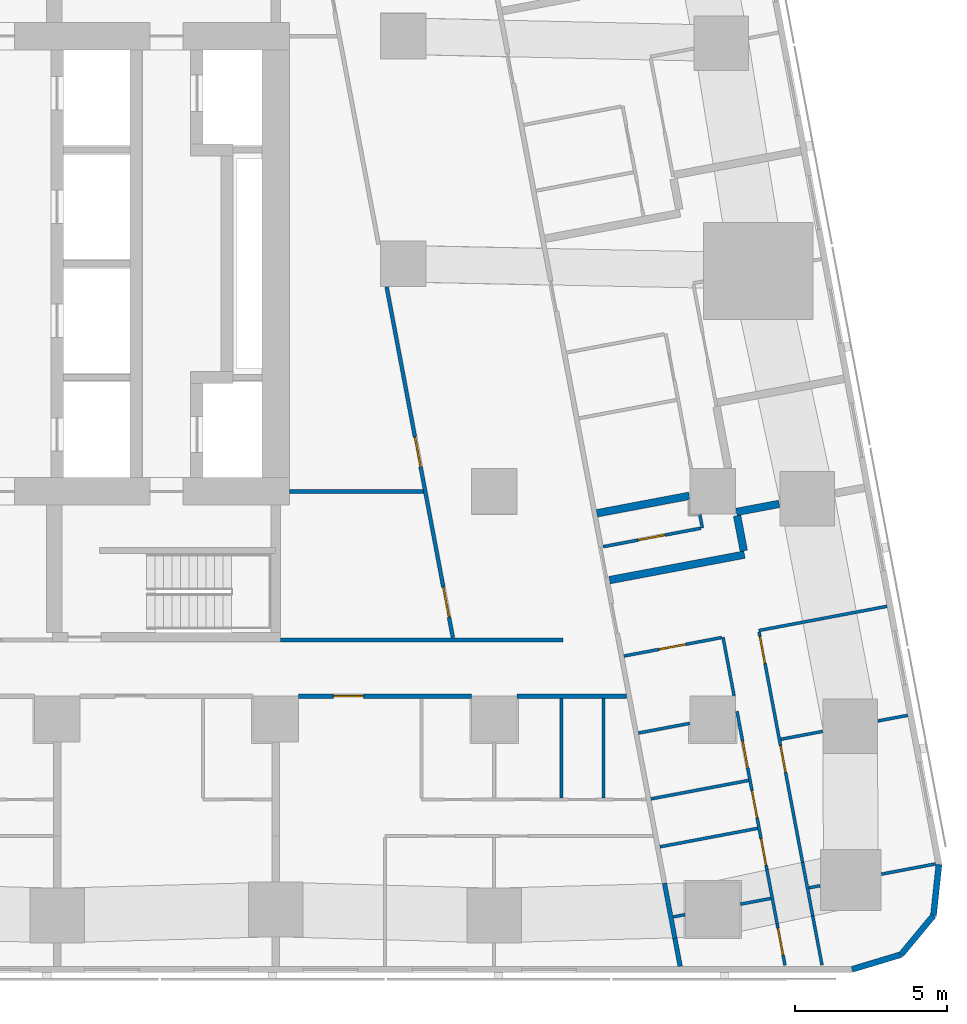
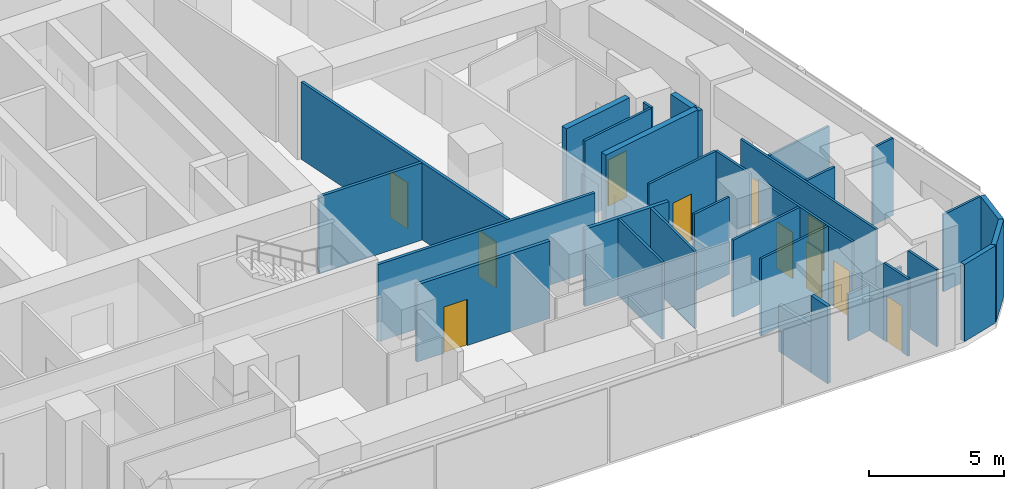
# One storey, part 6 of 15: 36 walls, 11 doors, 11 openings.
"""IFC4 building model written with IfcOpenShell, lengths in metres."""

import ifcopenshell
import ifcopenshell.guid

model = None  # the IFC model being written
_history = None  # IfcOwnerHistory: only IFC2X3 demands one
_inside = {}  # id of a spatial element -> (the spatial element, [elements in it])
_under = {}  # id of a project, library or spatial element -> (it, [spatial elements below it])
_declared = {}  # id of a project -> (the project, [libraries it declares])
_typed = {}  # id of a type object -> (the type object, [elements of that type])
_made_of = {}  # id of a material, layer set ... -> (it, [elements and type objects made of it])


def new_model(schema):
    """Start an empty IFC model of exactly this schema.

    Asked for "IFC4X3", IfcOpenShell would pick the latest addendum, in which some entities
    have other attributes; the version numbers below select the first issue.
    IFC2X3 requires an IfcOwnerHistory on every rooted entity: one is made here for all.
    """
    global model, _history
    if schema == "IFC4X3":
        model = ifcopenshell.file(schema_version=(4, 3, 0, 0))
    else:
        model = ifcopenshell.file(schema=schema)
    _inside.clear()
    _under.clear()
    _declared.clear()
    _typed.clear()
    _made_of.clear()
    _history = None
    if model.schema == "IFC2X3":
        org = make("IfcOrganization", Name="unknown")
        user = make(
            "IfcPersonAndOrganization",
            ThePerson=make("IfcPerson", FamilyName="unknown"),
            TheOrganization=org,
        )
        app = make(
            "IfcApplication",
            ApplicationDeveloper=org,
            Version="unknown",
            ApplicationFullName="unknown",
            ApplicationIdentifier="unknown",
        )
        _history = make(
            "IfcOwnerHistory",
            OwningUser=user,
            OwningApplication=app,
            ChangeAction="ADDED",
            CreationDate=0,
        )
    return model


def make(cls, **values):
    """One entity of the class cls with the attributes given. An attribute that is None is left unset."""
    return model.create_entity(
        cls, **{name: value for name, value in values.items() if value is not None}
    )


def rooted(cls, **values):
    """An entity with a GlobalId (a new one), such as an element, a storey or a relation."""
    return make(cls, GlobalId=ifcopenshell.guid.new(), OwnerHistory=_history, **values)


def si_unit(unit_type, name, prefix=None):
    """IfcSIUnit, for example si_unit("LENGTHUNIT", "METRE", prefix="MILLI")."""
    return make("IfcSIUnit", UnitType=unit_type, Prefix=prefix, Name=name)


def assignment(units):
    """IfcUnitAssignment: the units of a project."""
    return None if units is None else make("IfcUnitAssignment", Units=units)


def point(xyz):
    """IfcCartesianPoint."""
    return None if xyz is None else make("IfcCartesianPoint", Coordinates=xyz)


def direction(xyz):
    """IfcDirection."""
    return None if xyz is None else make("IfcDirection", DirectionRatios=xyz)


def frame(location, z_axis=None, x_axis=None):
    """IfcAxis2Placement3D, a coordinate frame: its origin and axes. An axis left out is left unset."""
    return make(
        "IfcAxis2Placement3D",
        Location=point(location),
        Axis=direction(z_axis),
        RefDirection=direction(x_axis),
    )


def frame_2d(location, x_axis=None):
    """IfcAxis2Placement2D, a coordinate frame in the plane: its origin and x axis."""
    return make(
        "IfcAxis2Placement2D", Location=point(location), RefDirection=direction(x_axis)
    )


def origin():
    """The frame at (0, 0, 0) with its axes left unset."""
    return frame((0.0, 0.0, 0.0))


def place(relative_to, where):
    """IfcLocalPlacement: puts the frame where relative to a parent placement (None: the world)."""
    return make(
        "IfcLocalPlacement", PlacementRelTo=relative_to, RelativePlacement=where
    )


def context(
    kind, dimensions, precision=None, world=None, true_north=None, identifier=None
):
    """IfcGeometricRepresentationContext, for example the 3D "Model" context."""
    return make(
        "IfcGeometricRepresentationContext",
        ContextIdentifier=identifier,
        ContextType=kind,
        CoordinateSpaceDimension=dimensions,
        Precision=precision,
        WorldCoordinateSystem=world,
        TrueNorth=true_north,
    )


def subcontext(parent, identifier, kind, view, scale=None):
    """IfcGeometricRepresentationSubContext, for example "Body" below "Model"."""
    return make(
        "IfcGeometricRepresentationSubContext",
        ContextIdentifier=identifier,
        ContextType=kind,
        ParentContext=parent,
        TargetScale=scale,
        TargetView=view,
    )


def project(units=None, contexts=None):
    """IfcProject with its units and contexts."""
    return rooted(
        "IfcProject",
        Name="project",
        RepresentationContexts=contexts,
        UnitsInContext=assignment(units),
    )


def spatial(cls, under=None, at=None, **own):
    """A site, building, storey or space (cls), placed at a placement, below another one or the project."""
    s = rooted(cls, ObjectPlacement=at, **own)
    if under is not None:
        _under.setdefault(under.id(), (under, []))[1].append(s)
    return s


def profile(cls, at=None, kind="AREA", **sizes):
    """A parametric profile (cls). Its sizes go by their IFC names, for example OverallWidth=200.0."""
    return make(cls, ProfileType=kind, Position=at, **sizes)


def rectangle(**sizes):
    """IfcRectangleProfileDef."""
    return profile("IfcRectangleProfileDef", **sizes)


def extrude(swept, where, along, depth):
    """IfcExtrudedAreaSolid: the profile swept, set in the frame where, extruded along a direction by depth."""
    return make(
        "IfcExtrudedAreaSolid",
        SweptArea=swept,
        Position=where,
        ExtrudedDirection=direction(along),
        Depth=depth,
    )


def shape(context_of_items, identifier, shape_type, items):
    """IfcShapeRepresentation: the items that make up one representation, for example the "Body"."""
    return make(
        "IfcShapeRepresentation",
        ContextOfItems=context_of_items,
        RepresentationIdentifier=identifier,
        RepresentationType=shape_type,
        Items=items,
    )


def material(Name=None, Category=None):
    """IfcMaterial."""
    return make("IfcMaterial", Name=Name, Category=Category)


def layer(
    of_material, thickness, ventilated=None, Name=None, Category=None, Priority=None
):
    """IfcMaterialLayer: one layer of a wall or slab, of a material (None: an air gap)."""
    return make(
        "IfcMaterialLayer",
        Material=of_material,
        LayerThickness=thickness,
        IsVentilated=ventilated,
        Name=Name,
        Category=Category,
        Priority=Priority,
    )


def layer_set(layers, Name=None):
    """IfcMaterialLayerSet."""
    return make("IfcMaterialLayerSet", MaterialLayers=layers, LayerSetName=Name)


def made_of(thing, what):
    """Note that an element or type object is made of a material, layer set ...; save() writes the relation."""
    if what is not None:
        _made_of.setdefault(what.id(), (what, []))[1].append(thing)
    return thing


def type_object(cls, material=None, **own):
    """A type object (cls), such as IfcWallType, which elements share."""
    return made_of(rooted(cls, **own), material)


def element(
    cls,
    number,
    at=None,
    inside=None,
    cuts=None,
    type_object=None,
    material=None,
    context=None,
    identifier="Body",
    shape_type=None,
    held_by="IfcProductDefinitionShape",
    body=None,
    shapes=None,
    **own,
):
    """One element of the class cls, such as IfcWall. Its Tag is "e" and its number.

    at: its placement. inside: the storey or other place that contains it. cuts: it is an
    opening in that element (IfcRelVoidsElement). A single representation is given by context,
    identifier, shape_type and body (its items); several are given by shapes. held_by: the class
    of the entity that holds the representations. save() writes the other relations.
    """
    e = rooted(cls, Tag="e%d" % number, ObjectPlacement=at, **own)
    if body is not None:
        shapes = [shape(context, identifier, shape_type, body)]
    if shapes is not None:
        e.Representation = make(held_by, Representations=shapes)
    if inside is not None:
        _inside.setdefault(inside.id(), (inside, []))[1].append(e)
    if cuts is not None:
        rooted(
            "IfcRelVoidsElement", RelatingBuildingElement=cuts, RelatedOpeningElement=e
        )
    if type_object is not None:
        _typed.setdefault(type_object.id(), (type_object, []))[1].append(e)
    return made_of(e, material)


def fill(opening, filler):
    """IfcRelFillsElement: the door or window that sits in an opening."""
    return rooted(
        "IfcRelFillsElement",
        RelatingOpeningElement=opening,
        RelatedBuildingElement=filler,
    )


def aggregate(whole, parts):
    """IfcRelAggregates: a whole, such as a stair, and the parts it consists of."""
    return rooted("IfcRelAggregates", RelatingObject=whole, RelatedObjects=parts)


def save(model, path):
    """Write the relations noted so far, then the file.

    IfcRelAggregates (storeys below a building ...), IfcRelContainedInSpatialStructure (elements
    in a storey), IfcRelDefinesByType, IfcRelAssociatesMaterial and IfcRelDeclares: one each for
    every whole, place, type object, material and project.
    """
    for whole, parts in _under.values():
        aggregate(whole, parts)
    for where, things in _inside.values():
        rooted(
            "IfcRelContainedInSpatialStructure",
            RelatedElements=things,
            RelatingStructure=where,
        )
    for kind, things in _typed.values():
        rooted("IfcRelDefinesByType", RelatedObjects=things, RelatingType=kind)
    for what, things in _made_of.values():
        rooted("IfcRelAssociatesMaterial", RelatedObjects=things, RelatingMaterial=what)
    for by, libraries in _declared.values():
        rooted("IfcRelDeclares", RelatingContext=by, RelatedDefinitions=libraries)
    model.write(path)


model = new_model("IFC4")

# Units and contexts
model_context = context("Model", 3, precision=1e-05, world=origin(), true_north=direction((0.0, 1.0)))
body_context = subcontext(model_context, "Body", "Model", "MODEL_VIEW")
ifc_project = project(units=[si_unit("LENGTHUNIT", "METRE"), si_unit("AREAUNIT", "SQUARE_METRE"), si_unit("VOLUMEUNIT", "CUBIC_METRE"), si_unit("PLANEANGLEUNIT", "RADIAN"), si_unit("MASSUNIT", "GRAM", prefix="KILO")], contexts=[model_context])

# Site, building, storey
site_placement = place(None, origin())
site = spatial("IfcSite", under=ifc_project, at=site_placement, CompositionType="ELEMENT")
building_placement = place(site_placement, origin())
building = spatial("IfcBuilding", under=site, at=building_placement, Name="Sheger Commons Tower", CompositionType="ELEMENT")
storey_placement = place(building_placement, frame((0.0, 0.0, 173.300048828125)))
storey = spatial("IfcBuildingStorey", under=building, at=storey_placement, Name="L44", CompositionType="ELEMENT", Elevation=173.300048828125)

# Wall
ifc_material_1 = material(Name="Hollow concrete block masonry, skimmed both sides", Category="masonry")
ifc_layer_1 = layer(ifc_material_1, 0.14990234375)
ifc_layer_set_1 = layer_set([ifc_layer_1], Name="CORRIDOR WALL 150")
wall_type_1 = type_object("IfcWallType", Name="CORRIDOR WALL 150", PredefinedType="SOLIDWALL", material=ifc_layer_set_1)
wall_1_placement = place(storey_placement, frame((40.35595703125, 8.25, 0.0), z_axis=(0.0, 0.0, 1.0), x_axis=(-1.0, 0.0, 0.0)))
element("IfcWall", 1, at=wall_1_placement, inside=storey, type_object=wall_type_1, Name="Corridor wall L44", PredefinedType="SOLIDWALL", context=body_context, shape_type="SweptSolid", body=[
    extrude(rectangle(XDim=3.60498046875, YDim=0.14990234375, at=frame_2d((1.802490234375, 0.0))), origin(), (0.0, 0.0, 1.0), 3.5),
])

# Wall, opening, door
wall_2_placement = place(storey_placement, frame((35.2490234375, 8.25, 0.0), z_axis=(0.0, 0.0, 1.0), x_axis=(-1.0, 0.0, 0.0)))
wall_2 = element("IfcWall", 2, at=wall_2_placement, inside=storey, type_object=wall_type_1, Name="Corridor wall L44", PredefinedType="SOLIDWALL", context=body_context, shape_type="SweptSolid", body=[
    extrude(rectangle(XDim=5.697998046875, YDim=0.14990234375, at=frame_2d((2.84912109375, 0.0))), origin(), (0.0, 0.0, 1.0), 3.5),
])
opening_1_placement = place(wall_2_placement, frame((3.549072265625, 0.0, 0.0)))
opening_1 = element("IfcOpeningElement", 3, at=opening_1_placement, cuts=wall_2, Name="Opening D1", PredefinedType="OPENING", context=body_context, shape_type="SweptSolid", body=[
    extrude(rectangle(XDim=1.0, YDim=2.10009765625, at=frame_2d((0.5, 1.050048828125))), frame((0.0, 0.0849609375, 0.0), z_axis=(0.0, -1.0, 0.0), x_axis=(1.0, 0.0, 0.0)), (0.0, 0.0, 1.0), 0.169921875),
])
ifc_material_2 = material(Name="Steel door set, fire rated", Category="steel")
door_type_1 = type_object("IfcDoorType", Name="FLAT ENTRANCE DOOR 1000x2100", OperationType="NOTDEFINED", PredefinedType="DOOR", material=ifc_material_2)
door_1_placement = place(opening_1_placement, origin())
door_1 = element("IfcDoor", 4, at=door_1_placement, inside=storey, type_object=door_type_1, Name="Flat entrance door", OperationType="SINGLE_SWING_RIGHT", OverallHeight=2.10009765625, OverallWidth=1.0, PredefinedType="DOOR", context=body_context, shape_type="SweptSolid", body=[
    extrude(rectangle(XDim=1.0, YDim=2.10009765625, at=frame_2d((0.5, 1.050048828125))), frame((0.0, 0.02490234375, 0.0), z_axis=(0.0, -1.0, 0.0), x_axis=(1.0, 0.0, 0.0)), (0.0, 0.0, 1.0), 0.050048828125),
])
fill(opening_1, door_1)

# Walls
wall_3_placement = place(storey_placement, frame((41.60888671875, 2.093017578125, 0.0), z_axis=(0.0, 0.0, 1.0), x_axis=(0.185708872674, -0.982604811005, 0.0)))
element("IfcWall", 5, at=wall_3_placement, inside=storey, type_object=wall_type_1, Name="Corridor wall L44", PredefinedType="SOLIDWALL", context=body_context, shape_type="SweptSolid", body=[
    extrude(rectangle(XDim=1.84716796875, YDim=0.14990234375, at=frame_2d((0.923583984375, 0.0))), origin(), (0.0, 0.0, 1.0), 2.099853515625),
])
wall_4_placement = place(storey_placement, frame((41.951904296875, 0.278076171875, 0.0), z_axis=(0.0, 0.0, 1.0), x_axis=(0.185365466984, -0.982669651332, 0.0)))
element("IfcWall", 6, at=wall_4_placement, inside=storey, type_object=wall_type_1, Name="Corridor wall L44", PredefinedType="SOLIDWALL", context=body_context, shape_type="SweptSolid", body=[
    extrude(rectangle(XDim=0.9443359375, YDim=0.14990234375, at=frame_2d((0.47216796875, 0.0))), origin(), (0.0, 0.0, 1.0), 3.5),
])
ifc_material_3 = material(Name="Dense concrete block masonry, plastered both sides (separating wall between flats)", Category="masonry")
ifc_layer_2 = layer(ifc_material_3, 0.25)
ifc_layer_set_2 = layer_set([ifc_layer_2], Name="DEMISING WALL 250")
wall_type_2 = type_object("IfcWallType", Name="DEMISING WALL 250", PredefinedType="SOLIDWALL", material=ifc_layer_set_2)
wall_5_placement = place(storey_placement, frame((42.426025390625, 14.85400390625, 0.0), z_axis=(0.0, 0.0, 1.0), x_axis=(-0.982603320446, -0.185716759201, 0.0)))
element("IfcWall", 7, at=wall_5_placement, inside=storey, type_object=wall_type_2, Name="Demising wall L44", PredefinedType="SOLIDWALL", context=body_context, shape_type="SweptSolid", body=[
    extrude(rectangle(XDim=3.095947265625, YDim=0.25, at=frame_2d((1.5478515625, 0.0))), origin(), (0.0, 0.0, 1.0), 3.5),
])
wall_6_placement = place(storey_placement, frame((45.389892578125, 14.587890625, 0.0), z_axis=(0.0, 0.0, 1.0), x_axis=(-0.982680951688, -0.18530555089, 0.0)))
element("IfcWall", 8, at=wall_6_placement, inside=storey, type_object=wall_type_2, Name="Demising wall L44", PredefinedType="SOLIDWALL", context=body_context, shape_type="SweptSolid", body=[
    extrude(rectangle(XDim=1.434814453125, YDim=0.25, at=frame_2d((0.71728515625, 0.0))), origin(), (0.0, 0.0, 1.0), 2.099853515625),
])
wall_7_placement = place(storey_placement, frame((44.24609375, 12.916015625, 0.0), z_axis=(0.0, 0.0, 1.0), x_axis=(-0.982612837616, -0.185666398014, 0.0)))
element("IfcWall", 9, at=wall_7_placement, inside=storey, type_object=wall_type_2, Name="Demising wall L44", PredefinedType="SOLIDWALL", context=body_context, shape_type="SweptSolid", body=[
    extrude(rectangle(XDim=4.524658203125, YDim=0.25, at=frame_2d((2.26220703125, 0.0))), origin(), (0.0, 0.0, 1.0), 3.5),
])
wall_8_placement = place(storey_placement, frame((44.0029296875, 14.198974609375, 0.0), z_axis=(0.0, 0.0, 1.0), x_axis=(0.186323326179, -0.982488482437, 0.0)))
element("IfcWall", 10, at=wall_8_placement, inside=storey, type_object=wall_type_2, Name="Demising wall L44", PredefinedType="SOLIDWALL", context=body_context, shape_type="SweptSolid", body=[
    extrude(rectangle(XDim=1.1806640625, YDim=0.25, at=frame_2d((0.59033203125, 0.0))), origin(), (0.0, 0.0, 1.0), 3.5),
])
ifc_material_4 = material(Name="Rendered concrete block masonry, dark grey", Category="masonry")
ifc_layer_3 = layer(ifc_material_4, 0.199951171875)
ifc_layer_set_3 = layer_set([ifc_layer_3], Name="FACADE WALL 200")
wall_type_3 = type_object("IfcWallType", Name="FACADE WALL 200", PredefinedType="SOLIDWALL", material=ifc_layer_set_3)
wall_9_placement = place(storey_placement, frame((47.791015625, -0.75, 0.0), z_axis=(0.0, 0.0, 1.0), x_axis=(0.957455232626, 0.288581838509, 0.0)))
element("IfcWall", 11, at=wall_9_placement, inside=storey, type_object=wall_type_3, Name="Facade wall L44", PredefinedType="SOLIDWALL", context=body_context, shape_type="SweptSolid", body=[
    extrude(rectangle(XDim=1.687744140625, YDim=0.199951171875, at=frame_2d((0.84375, 0.0))), origin(), (0.0, 0.0, 1.0), 3.5),
])
wall_10_placement = place(storey_placement, frame((49.406982421875, -0.262939453125, 0.0), z_axis=(0.0, 0.0, 1.0), x_axis=(0.638042593423, 0.770001070764, 0.0)))
element("IfcWall", 12, at=wall_10_placement, inside=storey, type_object=wall_type_3, Name="Facade wall L44", PredefinedType="SOLIDWALL", context=body_context, shape_type="SweptSolid", body=[
    extrude(rectangle(XDim=1.672607421875, YDim=0.199951171875, at=frame_2d((0.83642578125, 0.0))), origin(), (0.0, 0.0, 1.0), 3.5),
])
wall_11_placement = place(storey_placement, frame((50.47412109375, 1.02490234375, 0.0), z_axis=(0.0, 0.0, 1.0), x_axis=(0.106047815515, 0.994361031429, 0.0)))
element("IfcWall", 13, at=wall_11_placement, inside=storey, type_object=wall_type_3, Name="Facade wall L44", PredefinedType="SOLIDWALL", context=body_context, shape_type="SweptSolid", body=[
    extrude(rectangle(XDim=1.6875, YDim=0.199951171875, at=frame_2d((0.84375, 0.0))), origin(), (0.0, 0.0, 1.0), 3.5),
])
ifc_material_5 = material(Name="Gypsum board on steel studs", Category="steel")
ifc_layer_4 = layer(ifc_material_5, 0.10009765625)
ifc_layer_set_4 = layer_set([ifc_layer_4], Name="PARTITION 100")
wall_type_4 = type_object("IfcWallType", Name="PARTITION 100", PredefinedType="PARTITIONING", material=ifc_layer_set_4)
for number, where, z_axis, x_axis, name in (
    (14, (39.60009765625, 4.89990234375, 0.0), (0.0, 0.0, 1.0), (0.0, 1.0, 0.0), "Partition L44"),
    (15, (38.2099609375, 4.89990234375, 0.0), (0.0, 0.0, 1.0), (0.0, 1.0, 0.0), "Partition L44"),
):
    element("IfcWall", number, at=place(storey_placement, frame(where, z_axis=z_axis, x_axis=x_axis)), inside=storey, type_object=wall_type_4, Name=name, PredefinedType="PARTITIONING", context=body_context, shape_type="SweptSolid", body=[
        extrude(rectangle(XDim=3.275146484375, YDim=0.10009765625, at=frame_2d((1.6376953125, 0.0))), origin(), (0.0, 0.0, 1.0), 3.5),
    ])
wall_12_placement = place(storey_placement, frame((42.77490234375, 14.239990234375, 0.0), z_axis=(0.0, 0.0, 1.0), x_axis=(0.185035443692, -0.982731847748, 0.0)))
element("IfcWall", 16, at=wall_12_placement, inside=storey, type_object=wall_type_4, Name="Partition L44", PredefinedType="PARTITIONING", context=body_context, shape_type="SweptSolid", body=[
    extrude(rectangle(XDim=0.453857421875, YDim=0.10009765625, at=frame_2d((0.22705078125, 0.0))), origin(), (0.0, 0.0, 1.0), 3.5),
])

# Wall, opening, door
wall_13_placement = place(storey_placement, frame((42.81005859375, 13.784912109375, 0.0), z_axis=(0.0, 0.0, 1.0), x_axis=(-0.982620626894, -0.185625169636, 0.0)))
wall_13 = element("IfcWall", 17, at=wall_13_placement, inside=storey, type_object=wall_type_4, Name="Partition L44", PredefinedType="PARTITIONING", context=body_context, shape_type="SweptSolid", body=[
    extrude(rectangle(XDim=3.27490234375, YDim=0.10009765625, at=frame_2d((1.637451171875, 0.0))), origin(), (0.0, 0.0, 1.0), 3.5),
])
opening_2_placement = place(wall_13_placement, frame((1.200927734375, 0.0, 0.0)))
opening_2 = element("IfcOpeningElement", 18, at=opening_2_placement, cuts=wall_13, Name="Opening D2", PredefinedType="OPENING", context=body_context, shape_type="SweptSolid", body=[
    extrude(rectangle(XDim=0.89990234375, YDim=2.10009765625, at=frame_2d((0.449951171875, 1.050048828125))), frame((0.0, 0.06005859375, 0.0), z_axis=(0.0, -1.0, 0.0), x_axis=(1.0, 0.0, 0.0)), (0.0, 0.0, 1.0), 0.1201171875),
])
ifc_material_6 = material(Name="Timber door set", Category="wood")
door_type_2 = type_object("IfcDoorType", Name="INTERNAL DOOR 900x2100", OperationType="NOTDEFINED", PredefinedType="DOOR", material=ifc_material_6)
door_2_placement = place(opening_2_placement, origin())
door_2 = element("IfcDoor", 19, at=door_2_placement, inside=storey, type_object=door_type_2, Name="Shower room door", OperationType="SINGLE_SWING_LEFT", OverallHeight=2.10009765625, OverallWidth=0.89990234375, PredefinedType="DOOR", context=body_context, shape_type="SweptSolid", body=[
    extrude(rectangle(XDim=0.89990234375, YDim=2.10009765625, at=frame_2d((0.449951171875, 1.050048828125))), frame((0.0, 0.02490234375, 0.0), z_axis=(0.0, -1.0, 0.0), x_axis=(1.0, 0.0, 0.0)), (0.0, 0.0, 1.0), 0.050048828125),
])
fill(opening_2, door_2)

# Wall, openings, doors
wall_14_placement = place(storey_placement, frame((44.72705078125, 10.365966796875, 0.0), z_axis=(0.0, 0.0, 1.0), x_axis=(0.185578957652, -0.982629355595, 0.0)))
wall_14 = element("IfcWall", 20, at=wall_14_placement, inside=storey, type_object=wall_type_4, Name="Partition L44", PredefinedType="PARTITIONING", context=body_context, shape_type="SweptSolid", body=[
    extrude(rectangle(XDim=7.720947265625, YDim=0.10009765625, at=frame_2d((3.8603515625, 0.0))), origin(), (0.0, 0.0, 1.0), 3.5),
])
opening_3_placement = place(wall_14_placement, frame((0.15087890625, 0.0, 0.0)))
opening_3 = element("IfcOpeningElement", 21, at=opening_3_placement, cuts=wall_14, Name="Opening D2", PredefinedType="OPENING", context=body_context, shape_type="SweptSolid", body=[
    extrude(rectangle(XDim=0.89990234375, YDim=2.10009765625, at=frame_2d((0.449951171875, 1.050048828125))), frame((0.0, 0.06005859375, 0.0), z_axis=(0.0, -1.0, 0.0), x_axis=(1.0, 0.0, 0.0)), (0.0, 0.0, 1.0), 0.1201171875),
])
opening_4_placement = place(wall_14_placement, frame((3.805908203125, 0.0, 0.0)))
opening_4 = element("IfcOpeningElement", 22, at=opening_4_placement, cuts=wall_14, Name="Opening D2", PredefinedType="OPENING", context=body_context, shape_type="SweptSolid", body=[
    extrude(rectangle(XDim=0.89990234375, YDim=2.10009765625, at=frame_2d((0.449951171875, 1.050048828125))), frame((0.0, 0.06005859375, 0.0), z_axis=(0.0, -1.0, 0.0), x_axis=(1.0, 0.0, 0.0)), (0.0, 0.0, 1.0), 0.1201171875),
])
door_3_placement = place(opening_3_placement, origin())
door_3 = element("IfcDoor", 23, at=door_3_placement, inside=storey, type_object=door_type_2, Name="Main bedroom door", OperationType="SINGLE_SWING_LEFT", OverallHeight=2.10009765625, OverallWidth=0.89990234375, PredefinedType="DOOR", context=body_context, shape_type="SweptSolid", body=[
    extrude(rectangle(XDim=0.89990234375, YDim=2.10009765625, at=frame_2d((0.449951171875, 1.050048828125))), frame((0.0, 0.02490234375, 0.0), z_axis=(0.0, -1.0, 0.0), x_axis=(1.0, 0.0, 0.0)), (0.0, 0.0, 1.0), 0.050048828125),
])
fill(opening_3, door_3)
door_4_placement = place(opening_4_placement, origin())
door_4 = element("IfcDoor", 24, at=door_4_placement, inside=storey, type_object=door_type_2, Name="Bedroom 2 door", OperationType="SINGLE_SWING_LEFT", OverallHeight=2.10009765625, OverallWidth=0.89990234375, PredefinedType="DOOR", context=body_context, shape_type="SweptSolid", body=[
    extrude(rectangle(XDim=0.89990234375, YDim=2.10009765625, at=frame_2d((0.449951171875, 1.050048828125))), frame((0.0, 0.02490234375, 0.0), z_axis=(0.0, -1.0, 0.0), x_axis=(1.0, 0.0, 0.0)), (0.0, 0.0, 1.0), 0.050048828125),
])
fill(opening_4, door_4)

# Walls
wall_15_placement = place(storey_placement, frame((46.159912109375, 2.779052734375, 0.0), z_axis=(0.0, 0.0, 1.0), x_axis=(0.18597295662, -0.982554863306, 0.0)))
element("IfcWall", 25, at=wall_15_placement, inside=storey, type_object=wall_type_4, Name="Partition L44", PredefinedType="PARTITIONING", context=body_context, shape_type="SweptSolid", body=[
    extrude(rectangle(XDim=1.802490234375, YDim=0.10009765625, at=frame_2d((0.9013671875, 0.0))), origin(), (0.0, 0.0, 1.0), 2.099853515625),
])
wall_16_placement = place(storey_placement, frame((46.4951171875, 1.008056640625, 0.0), z_axis=(0.0, 0.0, 1.0), x_axis=(0.185535059532, -0.982637645159, 0.0)))
element("IfcWall", 26, at=wall_16_placement, inside=storey, type_object=wall_type_4, Name="Partition L44", PredefinedType="PARTITIONING", context=body_context, shape_type="SweptSolid", body=[
    extrude(rectangle(XDim=1.6435546875, YDim=0.10009765625, at=frame_2d((0.82177734375, 0.0))), origin(), (0.0, 0.0, 1.0), 3.5),
])
wall_17_placement = place(storey_placement, frame((43.5390625, 10.19189453125, 0.0), z_axis=(0.0, 0.0, 1.0), x_axis=(0.18564540894, -0.982616803306, 0.0)))
element("IfcWall", 27, at=wall_17_placement, inside=storey, type_object=wall_type_4, Name="Partition L44", PredefinedType="PARTITIONING", context=body_context, shape_type="SweptSolid", body=[
    extrude(rectangle(XDim=1.966064453125, YDim=0.10009765625, at=frame_2d((0.98291015625, 0.0))), origin(), (0.0, 0.0, 1.0), 3.5),
])

# Wall, openings, doors
wall_18_placement = place(storey_placement, frame((43.9990234375, 7.7548828125, 0.0), z_axis=(0.0, 0.0, 1.0), x_axis=(0.185565904578, -0.982631820703, 0.0)))
wall_18 = element("IfcWall", 28, at=wall_18_placement, inside=storey, type_object=wall_type_4, Name="Partition L44", PredefinedType="PARTITIONING", context=body_context, shape_type="SweptSolid", body=[
    extrude(rectangle(XDim=5.319091796875, YDim=0.10009765625, at=frame_2d((2.65966796875, 0.0))), origin(), (0.0, 0.0, 1.0), 3.5),
])
opening_5_placement = place(wall_18_placement, frame((1.0, 0.0, 0.0)))
opening_5 = element("IfcOpeningElement", 29, at=opening_5_placement, cuts=wall_18, Name="Opening D2", PredefinedType="OPENING", context=body_context, shape_type="SweptSolid", body=[
    extrude(rectangle(XDim=0.89990234375, YDim=2.10009765625, at=frame_2d((0.449951171875, 1.050048828125))), frame((0.0, 0.06005859375, 0.0), z_axis=(0.0, -1.0, 0.0), x_axis=(1.0, 0.0, 0.0)), (0.0, 0.0, 1.0), 0.1201171875),
])
opening_6_placement = place(wall_18_placement, frame((4.26904296875, 0.0, 0.0)))
opening_6 = element("IfcOpeningElement", 30, at=opening_6_placement, cuts=wall_18, Name="Opening D2", PredefinedType="OPENING", context=body_context, shape_type="SweptSolid", body=[
    extrude(rectangle(XDim=0.89990234375, YDim=2.10009765625, at=frame_2d((0.449951171875, 1.050048828125))), frame((0.0, 0.06005859375, 0.0), z_axis=(0.0, -1.0, 0.0), x_axis=(1.0, 0.0, 0.0)), (0.0, 0.0, 1.0), 0.1201171875),
])
opening_7_placement = place(wall_18_placement, frame((2.6650390625, 0.0, 0.0)))
opening_7 = element("IfcOpeningElement", 31, at=opening_7_placement, cuts=wall_18, Name="Opening D2", PredefinedType="OPENING", context=body_context, shape_type="SweptSolid", body=[
    extrude(rectangle(XDim=0.89990234375, YDim=2.10009765625, at=frame_2d((0.449951171875, 1.050048828125))), frame((0.0, 0.06005859375, 0.0), z_axis=(0.0, -1.0, 0.0), x_axis=(1.0, 0.0, 0.0)), (0.0, 0.0, 1.0), 0.1201171875),
])
door_5_placement = place(opening_5_placement, origin())
door_5 = element("IfcDoor", 32, at=door_5_placement, inside=storey, type_object=door_type_2, Name="Bathroom door", OperationType="SINGLE_SWING_LEFT", OverallHeight=2.10009765625, OverallWidth=0.89990234375, PredefinedType="DOOR", context=body_context, shape_type="SweptSolid", body=[
    extrude(rectangle(XDim=0.89990234375, YDim=2.10009765625, at=frame_2d((0.449951171875, 1.050048828125))), frame((0.0, 0.02490234375, 0.0), z_axis=(0.0, -1.0, 0.0), x_axis=(1.0, 0.0, 0.0)), (0.0, 0.0, 1.0), 0.050048828125),
])
fill(opening_5, door_5)
door_6_placement = place(opening_6_placement, origin())
door_6 = element("IfcDoor", 33, at=door_6_placement, inside=storey, type_object=door_type_2, Name="Laundry room door", OperationType="SINGLE_SWING_LEFT", OverallHeight=2.10009765625, OverallWidth=0.89990234375, PredefinedType="DOOR", context=body_context, shape_type="SweptSolid", body=[
    extrude(rectangle(XDim=0.89990234375, YDim=2.10009765625, at=frame_2d((0.449951171875, 1.050048828125))), frame((0.0, 0.02490234375, 0.0), z_axis=(0.0, -1.0, 0.0), x_axis=(1.0, 0.0, 0.0)), (0.0, 0.0, 1.0), 0.050048828125),
])
fill(opening_6, door_6)
door_7_placement = place(opening_7_placement, origin())
door_7 = element("IfcDoor", 34, at=door_7_placement, inside=storey, type_object=door_type_2, Name="Store door", OperationType="SINGLE_SWING_LEFT", OverallHeight=2.10009765625, OverallWidth=0.89990234375, PredefinedType="DOOR", context=body_context, shape_type="SweptSolid", body=[
    extrude(rectangle(XDim=0.89990234375, YDim=2.10009765625, at=frame_2d((0.449951171875, 1.050048828125))), frame((0.0, 0.02490234375, 0.0), z_axis=(0.0, -1.0, 0.0), x_axis=(1.0, 0.0, 0.0)), (0.0, 0.0, 1.0), 0.050048828125),
])
fill(opening_7, door_7)

# Wall
wall_19_placement = place(storey_placement, frame((44.986083984375, 2.528076171875, 0.0), z_axis=(0.0, 0.0, 1.0), x_axis=(0.18584218627, -0.982579605835, 0.0)))
element("IfcWall", 35, at=wall_19_placement, inside=storey, type_object=wall_type_4, Name="Partition L44", PredefinedType="PARTITIONING", context=body_context, shape_type="SweptSolid", body=[
    extrude(rectangle(XDim=1.802490234375, YDim=0.10009765625, at=frame_2d((0.9013671875, 0.0))), origin(), (0.0, 0.0, 1.0), 2.099853515625),
])

# Wall, opening, door
wall_20_placement = place(storey_placement, frame((45.321044921875, 0.757080078125, 0.0), z_axis=(0.0, 0.0, 1.0), x_axis=(0.185640562635, -0.982617718904, 0.0)))
wall_20 = element("IfcWall", 36, at=wall_20_placement, inside=storey, type_object=wall_type_4, Name="Partition L44", PredefinedType="PARTITIONING", context=body_context, shape_type="SweptSolid", body=[
    extrude(rectangle(XDim=1.395263671875, YDim=0.10009765625, at=frame_2d((0.69775390625, 0.0))), origin(), (0.0, 0.0, 1.0), 3.5),
])
opening_8_placement = place(wall_20_placement, frame((0.14990234375, 0.0, 0.0)))
opening_8 = element("IfcOpeningElement", 37, at=opening_8_placement, cuts=wall_20, Name="Opening D2", PredefinedType="OPENING", context=body_context, shape_type="SweptSolid", body=[
    extrude(rectangle(XDim=0.89990234375, YDim=2.10009765625, at=frame_2d((0.449951171875, 1.050048828125))), frame((0.0, 0.06005859375, 0.0), z_axis=(0.0, -1.0, 0.0), x_axis=(1.0, 0.0, 0.0)), (0.0, 0.0, 1.0), 0.1201171875),
])
door_8_placement = place(opening_8_placement, origin())
door_8 = element("IfcDoor", 38, at=door_8_placement, inside=storey, type_object=door_type_2, Name="Laundry room door", OperationType="SINGLE_SWING_RIGHT", OverallHeight=2.10009765625, OverallWidth=0.89990234375, PredefinedType="DOOR", context=body_context, shape_type="SweptSolid", body=[
    extrude(rectangle(XDim=0.89990234375, YDim=2.10009765625, at=frame_2d((0.449951171875, 1.050048828125))), frame((0.0, 0.02490234375, 0.0), z_axis=(0.0, -1.0, 0.0), x_axis=(1.0, 0.0, 0.0)), (0.0, 0.0, 1.0), 0.050048828125),
])
fill(opening_8, door_8)

# Walls
wall_21_placement = place(storey_placement, frame((48.943115234375, 11.212890625, 0.0), z_axis=(0.0, 0.0, 1.0), x_axis=(-0.982633535512, -0.185556823879, 0.0)))
element("IfcWall", 39, at=wall_21_placement, inside=storey, type_object=wall_type_4, Name="Partition L44", PredefinedType="PARTITIONING", context=body_context, shape_type="SweptSolid", body=[
    extrude(rectangle(XDim=4.2998046875, YDim=0.10009765625, at=frame_2d((2.14990234375, 0.0))), origin(), (0.0, 0.0, 1.0), 2.099853515625),
])
wall_22_placement = place(storey_placement, frame((49.6220703125, 7.6201171875, 0.0), z_axis=(0.0, 0.0, 1.0), x_axis=(-0.982708646087, -0.185158626332, 0.0)))
element("IfcWall", 40, at=wall_22_placement, inside=storey, type_object=wall_type_4, Name="Partition L44", PredefinedType="PARTITIONING", context=body_context, shape_type="SweptSolid", body=[
    extrude(rectangle(XDim=0.99951171875, YDim=0.10009765625, at=frame_2d((0.499755859375, 0.0))), origin(), (0.0, 0.0, 1.0), 3.5),
])
wall_23_placement = place(storey_placement, frame((46.820068359375, 7.091064453125, 0.0), z_axis=(0.0, 0.0, 1.0), x_axis=(-0.982689853246, -0.185258339427, 0.0)))
element("IfcWall", 41, at=wall_23_placement, inside=storey, type_object=wall_type_4, Name="Partition L44", PredefinedType="PARTITIONING", context=body_context, shape_type="SweptSolid", body=[
    extrude(rectangle(XDim=1.398193359375, YDim=0.10009765625, at=frame_2d((0.69921875, 0.0))), origin(), (0.0, 0.0, 1.0), 3.5),
])
wall_24_placement = place(storey_placement, frame((50.547119140625, 2.72607421875, 0.0), z_axis=(0.0, 0.0, 1.0), x_axis=(-0.982603988143, -0.185713226471, 0.0)))
element("IfcWall", 42, at=wall_24_placement, inside=storey, type_object=wall_type_4, Name="Partition L44", PredefinedType="PARTITIONING", context=body_context, shape_type="SweptSolid", body=[
    extrude(rectangle(XDim=1.82080078125, YDim=0.10009765625, at=frame_2d((0.910400390625, 0.0))), origin(), (0.0, 0.0, 1.0), 3.5),
])
wall_25_placement = place(storey_placement, frame((46.738037109375, 2.006103515625, 0.0), z_axis=(0.0, 0.0, 1.0), x_axis=(-0.982820466874, -0.184564161994, 0.0)))
element("IfcWall", 43, at=wall_25_placement, inside=storey, type_object=wall_type_4, Name="Partition L44", PredefinedType="PARTITIONING", context=body_context, shape_type="SweptSolid", body=[
    extrude(rectangle(XDim=0.374267578125, YDim=0.10009765625, at=frame_2d((0.18701171875, 0.0))), origin(), (0.0, 0.0, 1.0), 2.099853515625),
])

# Wall, opening, door
wall_26_placement = place(storey_placement, frame((43.489990234375, 10.18310546875, 0.0), z_axis=(0.0, 0.0, 1.0), x_axis=(-0.982607026909, -0.185697147715, 0.0)))
wall_26 = element("IfcWall", 44, at=wall_26_placement, inside=storey, type_object=wall_type_4, Name="Partition L44", PredefinedType="PARTITIONING", context=body_context, shape_type="SweptSolid", body=[
    extrude(rectangle(XDim=3.27490234375, YDim=0.10009765625, at=frame_2d((1.637451171875, 0.0))), origin(), (0.0, 0.0, 1.0), 3.5),
])
opening_9_placement = place(wall_26_placement, frame((1.199951171875, 0.0, 0.0)))
opening_9 = element("IfcOpeningElement", 45, at=opening_9_placement, cuts=wall_26, Name="Opening D2", PredefinedType="OPENING", context=body_context, shape_type="SweptSolid", body=[
    extrude(rectangle(XDim=0.89990234375, YDim=2.10009765625, at=frame_2d((0.449951171875, 1.050048828125))), frame((0.0, 0.06005859375, 0.0), z_axis=(0.0, -1.0, 0.0), x_axis=(1.0, 0.0, 0.0)), (0.0, 0.0, 1.0), 0.1201171875),
])
door_9_placement = place(opening_9_placement, origin())
door_9 = element("IfcDoor", 46, at=door_9_placement, inside=storey, type_object=door_type_2, Name="Store door", OperationType="SINGLE_SWING_LEFT", OverallHeight=2.10009765625, OverallWidth=0.89990234375, PredefinedType="DOOR", context=body_context, shape_type="SweptSolid", body=[
    extrude(rectangle(XDim=0.89990234375, YDim=2.10009765625, at=frame_2d((0.449951171875, 1.050048828125))), frame((0.0, 0.02490234375, 0.0), z_axis=(0.0, -1.0, 0.0), x_axis=(1.0, 0.0, 0.0)), (0.0, 0.0, 1.0), 0.050048828125),
])
fill(opening_9, door_9)

# Walls
wall_27_placement = place(storey_placement, frame((42.43994140625, 7.35693359375, 0.0), z_axis=(0.0, 0.0, 1.0), x_axis=(-0.982643094077, -0.185506198448, 0.0)))
element("IfcWall", 47, at=wall_27_placement, inside=storey, type_object=wall_type_4, Name="Partition L44", PredefinedType="PARTITIONING", context=body_context, shape_type="SweptSolid", body=[
    extrude(rectangle(XDim=1.71875, YDim=0.10009765625, at=frame_2d((0.859375, 0.0))), origin(), (0.0, 0.0, 1.0), 3.5),
])
wall_28_placement = place(storey_placement, frame((45.114013671875, 1.5869140625, 0.0), z_axis=(0.0, 0.0, 1.0), x_axis=(-0.982567886437, -0.185904138047, 0.0)))
element("IfcWall", 48, at=wall_28_placement, inside=storey, type_object=wall_type_4, Name="Partition L44", PredefinedType="PARTITIONING", context=body_context, shape_type="SweptSolid", body=[
    extrude(rectangle(XDim=1.021728515625, YDim=0.10009765625, at=frame_2d((0.5107421875, 0.0))), origin(), (0.0, 0.0, 1.0), 2.099853515625),
])
wall_29_placement = place(storey_placement, frame((42.2900390625, 1.052978515625, 0.0), z_axis=(0.0, 0.0, 1.0), x_axis=(-0.982830800147, -0.184509127909, 0.0)))
element("IfcWall", 49, at=wall_29_placement, inside=storey, type_object=wall_type_4, Name="Partition L44", PredefinedType="PARTITIONING", context=body_context, shape_type="SweptSolid", body=[
    extrude(rectangle(XDim=0.40087890625, YDim=0.10009765625, at=frame_2d((0.200439453125, 0.0))), origin(), (0.0, 0.0, 1.0), 2.099853515625),
])
wall_30_placement = place(storey_placement, frame((44.677001953125, 3.89599609375, 0.0), z_axis=(0.0, 0.0, 1.0), x_axis=(-0.982610347627, -0.185679575441, 0.0)))
element("IfcWall", 50, at=wall_30_placement, inside=storey, type_object=wall_type_4, Name="Partition L44", PredefinedType="PARTITIONING", context=body_context, shape_type="SweptSolid", body=[
    extrude(rectangle(XDim=3.27392578125, YDim=0.10009765625, at=frame_2d((1.636962890625, 0.0))), origin(), (0.0, 0.0, 1.0), 3.5),
])
wall_31_placement = place(storey_placement, frame((44.37890625, 5.47412109375, 0.0), z_axis=(0.0, 0.0, 1.0), x_axis=(-0.982607026909, -0.185697147715, 0.0)))
element("IfcWall", 51, at=wall_31_placement, inside=storey, type_object=wall_type_4, Name="Partition L44", PredefinedType="PARTITIONING", context=body_context, shape_type="SweptSolid", body=[
    extrude(rectangle(XDim=3.27490234375, YDim=0.10009765625, at=frame_2d((1.637451171875, 0.0))), origin(), (0.0, 0.0, 1.0), 3.5),
])
ifc_material_7 = material(Name="Gypsum board on steel studs, two layers each side, fire rated", Category="steel")
ifc_layer_5 = layer(ifc_material_7, 0.125)
ifc_layer_set_5 = layer_set([ifc_layer_5], Name="SERVICE WALL 125")
wall_type_5 = type_object("IfcWallType", Name="SERVICE WALL 125", PredefinedType="PARTITIONING", material=ifc_layer_set_5)
wall_32_placement = place(storey_placement, frame((28.949951171875, 10.10009765625, 0.0), z_axis=(0.0, 0.0, 1.0), x_axis=(1.0, 0.0, 0.0)))
element("IfcWall", 52, at=wall_32_placement, inside=storey, type_object=wall_type_5, Name="Service room wall L44", PredefinedType="PARTITIONING", context=body_context, shape_type="SweptSolid", body=[
    extrude(rectangle(XDim=9.31494140625, YDim=0.125, at=frame_2d((4.657470703125, 0.0))), origin(), (0.0, 0.0, 1.0), 3.5),
])

# Wall, openings, doors
wall_33_placement = place(storey_placement, frame((34.637939453125, 10.174072265625, 0.0), z_axis=(0.0, 0.0, 1.0), x_axis=(-0.185583626094, 0.982628473903, 0.0)))
wall_33 = element("IfcWall", 53, at=wall_33_placement, inside=storey, type_object=wall_type_5, Name="Service room wall L44", PredefinedType="PARTITIONING", context=body_context, shape_type="SweptSolid", body=[
    extrude(rectangle(XDim=11.767333984375, YDim=0.125, at=frame_2d((5.8837890625, 0.0))), origin(), (0.0, 0.0, 1.0), 3.5),
])
opening_10_placement = place(wall_33_placement, frame((0.697021484375, 0.0, 0.0)))
opening_10 = element("IfcOpeningElement", 54, at=opening_10_placement, cuts=wall_33, Name="Opening D4", PredefinedType="OPENING", context=body_context, shape_type="SweptSolid", body=[
    extrude(rectangle(XDim=1.0, YDim=2.10009765625, at=frame_2d((0.5, 1.050048828125))), frame((0.0, 0.072509765625, 0.0), z_axis=(0.0, -1.0, 0.0), x_axis=(1.0, 0.0, 0.0)), (0.0, 0.0, 1.0), 0.14501953125),
])
opening_11_placement = place(wall_33_placement, frame((5.73388671875, 0.0, 0.0)))
opening_11 = element("IfcOpeningElement", 55, at=opening_11_placement, cuts=wall_33, Name="Opening D4", PredefinedType="OPENING", context=body_context, shape_type="SweptSolid", body=[
    extrude(rectangle(XDim=1.0, YDim=2.10009765625, at=frame_2d((0.5, 1.050048828125))), frame((0.0, 0.072509765625, 0.0), z_axis=(0.0, -1.0, 0.0), x_axis=(1.0, 0.0, 0.0)), (0.0, 0.0, 1.0), 0.14501953125),
])
ifc_material_8 = material(Name="Steel door set, fire rated", Category="steel")
door_type_3 = type_object("IfcDoorType", Name="SERVICE DOOR 1000x2100", OperationType="NOTDEFINED", PredefinedType="DOOR", material=ifc_material_8)
door_10_placement = place(opening_10_placement, origin())
door_10 = element("IfcDoor", 56, at=door_10_placement, inside=storey, type_object=door_type_3, Name="Parcel and delivery room door", OperationType="SINGLE_SWING_LEFT", OverallHeight=2.10009765625, OverallWidth=1.0, PredefinedType="DOOR", context=body_context, shape_type="SweptSolid", body=[
    extrude(rectangle(XDim=1.0, YDim=2.10009765625, at=frame_2d((0.5, 1.050048828125))), frame((0.0, 0.02490234375, 0.0), z_axis=(0.0, -1.0, 0.0), x_axis=(1.0, 0.0, 0.0)), (0.0, 0.0, 1.0), 0.050048828125),
])
fill(opening_10, door_10)
door_11_placement = place(opening_11_placement, origin())
door_11 = element("IfcDoor", 57, at=door_11_placement, inside=storey, type_object=door_type_3, Name="Residents' gym door", OperationType="SINGLE_SWING_LEFT", OverallHeight=2.10009765625, OverallWidth=1.0, PredefinedType="DOOR", context=body_context, shape_type="SweptSolid", body=[
    extrude(rectangle(XDim=1.0, YDim=2.10009765625, at=frame_2d((0.5, 1.050048828125))), frame((0.0, 0.02490234375, 0.0), z_axis=(0.0, -1.0, 0.0), x_axis=(1.0, 0.0, 0.0)), (0.0, 0.0, 1.0), 0.050048828125),
])
fill(opening_11, door_11)

# Wall
wall_34_placement = place(storey_placement, frame((29.25, 15.0, 0.0), z_axis=(0.0, 0.0, 1.0), x_axis=(1.0, 0.0, 0.0)))
element("IfcWall", 58, at=wall_34_placement, inside=storey, type_object=wall_type_5, Name="Service room wall L44", PredefinedType="PARTITIONING", context=body_context, shape_type="SweptSolid", body=[
    extrude(rectangle(XDim=4.4130859375, YDim=0.125, at=frame_2d((2.20654296875, 0.0))), origin(), (0.0, 0.0, 1.0), 3.5),
])

save(model, "model.ifc")
